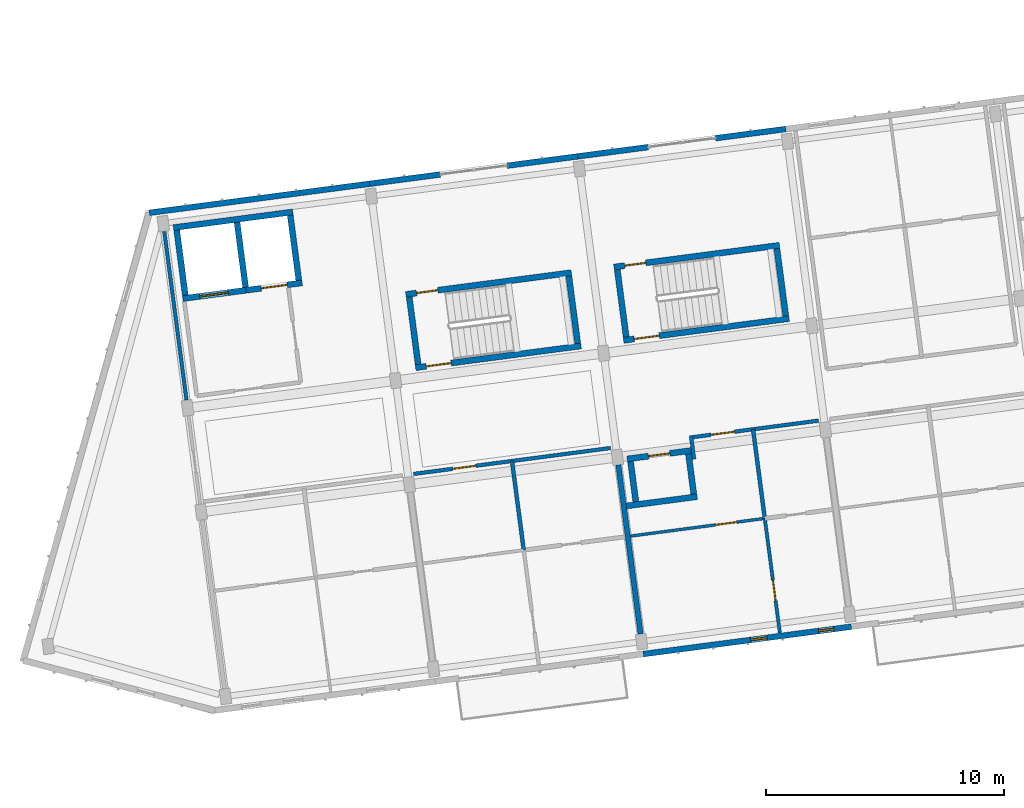
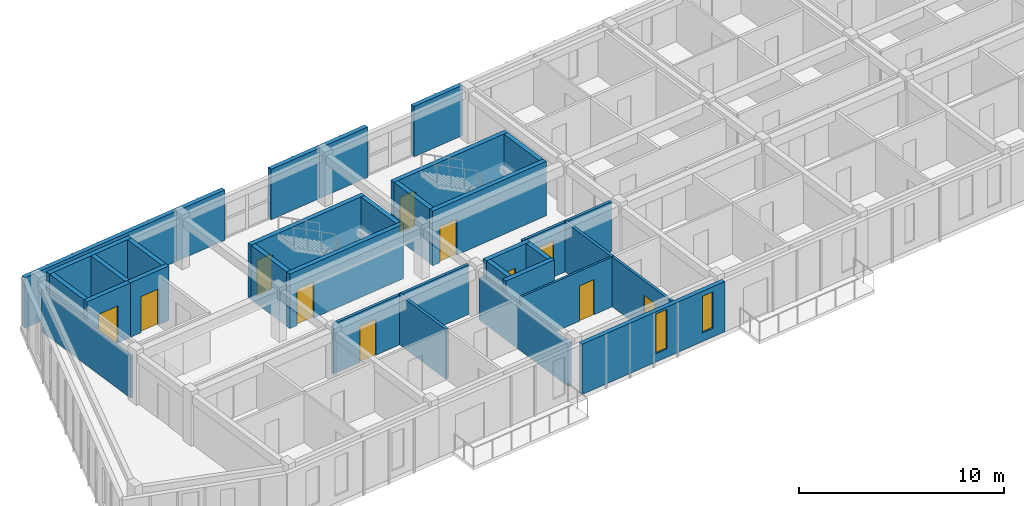
# One storey, part 19 of 45: 33 walls, 11 doors, 2 windows, 13 openings.
"""IFC4 building model written with IfcOpenShell, lengths in metres."""

from ifc_helpers import new_model, si_unit, direction, frame, frame_2d, origin, place, context, subcontext, project, spatial, rectangle, extrude, material, layer, layer_set, type_object, element, fill, save


model = new_model("IFC4")

# Units and contexts
model_context = context("Model", 3, precision=1e-05, world=origin(), true_north=direction((0.0, 1.0)))
body_context = subcontext(model_context, "Body", "Model", "MODEL_VIEW")
ifc_project = project(units=[si_unit("LENGTHUNIT", "METRE"), si_unit("AREAUNIT", "SQUARE_METRE"), si_unit("VOLUMEUNIT", "CUBIC_METRE"), si_unit("PLANEANGLEUNIT", "RADIAN"), si_unit("MASSUNIT", "GRAM", prefix="KILO")], contexts=[model_context])

# Site, building, storey
site_placement = place(None, origin())
site = spatial("IfcSite", under=ifc_project, at=site_placement, CompositionType="ELEMENT")
building_placement = place(site_placement, origin())
building = spatial("IfcBuilding", under=site, at=building_placement, Name="Kestramere Prow Commons", CompositionType="ELEMENT")
storey_placement = place(building_placement, frame((0.0, 0.0, 31.14990234375)))
storey = spatial("IfcBuildingStorey", under=building, at=storey_placement, Name="L09", CompositionType="ELEMENT", Elevation=31.14990234375)

# Wall, openings, windows
ifc_material_1 = material(Name="Fluoropolymer Standing-Seam Zinc-Aluminium Cladding", Category="aluminium")
ifc_layer_1 = layer(ifc_material_1, 0.239990234375)
ifc_layer_set_1 = layer_set([ifc_layer_1], Name="Fluoropolymer Standing-Seam Zinc-Aluminium Cladding")
wall_type_1 = type_object("IfcWallType", Name="EW-SEAM-240", PredefinedType="SOLIDWALL", material=ifc_layer_set_1)
wall_1_placement = place(storey_placement, frame((37.442626953125, 74.92529296875, 0.0), z_axis=(0.0, 0.0, 1.0), x_axis=(-0.991447495205, -0.130506184728, 0.0)))
wall_1 = element("IfcWall", 1, at=wall_1_placement, inside=storey, type_object=wall_type_1, Name="Block A L09 South Standing-Seam Wall 3", PredefinedType="SOLIDWALL", context=body_context, shape_type="SweptSolid", body=[
    extrude(rectangle(XDim=8.7998046875, YDim=0.239990234375, at=frame_2d((4.39990234375, 0.0))), origin(), (0.0, 0.0, 1.0), 3.0),
])
opening_1_placement = place(wall_1_placement, frame((0.7431640625, 0.0, 0.52001953125)))
opening_1 = element("IfcOpeningElement", 2, at=opening_1_placement, cuts=wall_1, Name="Opening WN-04", PredefinedType="OPENING", context=body_context, shape_type="SweptSolid", body=[
    extrude(rectangle(XDim=0.639892578125, YDim=2.179931640625, at=frame_2d((0.31982421875, 1.08984375))), frame((0.0, 0.135009765625, 0.0), z_axis=(0.0, -1.0, 0.0), x_axis=(1.0, 0.0, 0.0)), (0.0, 0.0, 1.0), 0.27001953125),
])
opening_2_placement = place(wall_1_placement, frame((3.55810546875, 0.0, 0.5)))
opening_2 = element("IfcOpeningElement", 3, at=opening_2_placement, cuts=wall_1, Name="Opening WN-07", PredefinedType="OPENING", context=body_context, shape_type="SweptSolid", body=[
    extrude(rectangle(XDim=0.699951171875, YDim=2.360107421875, at=frame_2d((0.35009765625, 1.18017578125))), frame((0.0, 0.135009765625, 0.0), z_axis=(0.0, -1.0, 0.0), x_axis=(1.0, 0.0, 0.0)), (0.0, 0.0, 1.0), 0.27001953125),
])
ifc_material_2 = material(Name="Low-E Laminated Double Glazing", Category="glass")
window_type_1 = type_object("IfcWindowType", Name="WN-NAR-640A", PartitioningType="SINGLE_PANEL", PredefinedType="WINDOW", material=ifc_material_2)
window_1_placement = place(opening_1_placement, origin())
window_1 = element("IfcWindow", 4, at=window_1_placement, inside=storey, type_object=window_type_1, Name="WN-A-L09-S-2-00", OverallHeight=2.179931640625, OverallWidth=0.639892578125, PartitioningType="SINGLE_PANEL", PredefinedType="WINDOW", context=body_context, shape_type="SweptSolid", body=[
    extrude(rectangle(XDim=0.639892578125, YDim=2.179931640625, at=frame_2d((0.31982421875, 1.08984375))), frame((0.0, 0.030029296875, 0.0), z_axis=(0.0, -1.0, 0.0), x_axis=(1.0, 0.0, 0.0)), (0.0, 0.0, 1.0), 0.06005859375),
])
fill(opening_1, window_1)
window_type_2 = type_object("IfcWindowType", Name="WN-NAR-700A", PartitioningType="SINGLE_PANEL", PredefinedType="WINDOW", material=ifc_material_2)
window_2_placement = place(opening_2_placement, origin())
window_2 = element("IfcWindow", 5, at=window_2_placement, inside=storey, type_object=window_type_2, Name="WN-A-L09-S-2-10", OverallHeight=2.360107421875, OverallWidth=0.699951171875, PartitioningType="SINGLE_PANEL", PredefinedType="WINDOW", context=body_context, shape_type="SweptSolid", body=[
    extrude(rectangle(XDim=0.699951171875, YDim=2.360107421875, at=frame_2d((0.35009765625, 1.18017578125))), frame((0.0, 0.030029296875, 0.0), z_axis=(0.0, -1.0, 0.0), x_axis=(1.0, 0.0, 0.0)), (0.0, 0.0, 1.0), 0.06005859375),
])
fill(opening_2, window_2)

# Walls
wall_2_placement = place(storey_placement, frame((8.00048828125, 92.28076171875, 0.0), z_axis=(0.0, 0.0, 1.0), x_axis=(0.991442885224, 0.130541201693, 0.0)))
element("IfcWall", 6, at=wall_2_placement, inside=storey, type_object=wall_type_1, Name="Block A L09 North Standing-Seam Wall 1", PredefinedType="SOLIDWALL", context=body_context, shape_type="SweptSolid", body=[
    extrude(rectangle(XDim=9.324951171875, YDim=0.239990234375, at=frame_2d((4.66259765625, 0.0))), origin(), (0.0, 0.0, 1.0), 3.0),
])
for number, where, z_axis, x_axis, name in (
    (7, (17.24560546875, 93.498046875, 0.0), (0.0, 0.0, 1.0), (0.991451502252, 0.130475739826, 0.0), "Block A L09 North Standing-Seam Pier 2L"),
    (8, (23.020751953125, 94.25830078125, 0.0), (0.0, 0.0, 1.0), (0.991440883744, 0.130556401758, 0.0), "Block A L09 North Standing-Seam Pier 2R"),
):
    element("IfcWall", number, at=place(storey_placement, frame(where, z_axis=z_axis, x_axis=x_axis)), inside=storey, type_object=wall_type_1, Name=name, PredefinedType="SOLIDWALL", context=body_context, shape_type="SweptSolid", body=[
        extrude(rectangle(XDim=2.97509765625, YDim=0.239990234375, at=frame_2d((1.487548828125, 0.0))), origin(), (0.0, 0.0, 1.0), 3.0),
    ])
for number, where, z_axis, x_axis, name in (
    (9, (25.970458984375, 94.646728515625, 0.0), (0.0, 0.0, 1.0), (0.991450105095, 0.130486356022, 0.0), "Block A L09 North Standing-Seam Pier 3L"),
    (10, (31.74560546875, 95.406982421875, 0.0), (0.0, 0.0, 1.0), (0.991439484875, 0.130567024289, 0.0), "Block A L09 North Standing-Seam Pier 3R"),
):
    element("IfcWall", number, at=place(storey_placement, frame(where, z_axis=z_axis, x_axis=x_axis)), inside=storey, type_object=wall_type_1, Name=name, PredefinedType="SOLIDWALL", context=body_context, shape_type="SweptSolid", body=[
        extrude(rectangle(XDim=2.974853515625, YDim=0.239990234375, at=frame_2d((1.4873046875, 0.0))), origin(), (0.0, 0.0, 1.0), 3.0),
    ])
ifc_material_3 = material(Name="Concrete C40/50", Category="concrete")
ifc_layer_2 = layer(ifc_material_3, 0.25)
ifc_layer_set_2 = layer_set([ifc_layer_2], Name="Concrete C40/50")
wall_type_2 = type_object("IfcWallType", Name="W-CORE-250", PredefinedType="SHEAR", material=ifc_layer_set_2)
wall_3_placement = place(storey_placement, frame((9.015380859375, 91.657958984375, 0.0), z_axis=(0.0, 0.0, 1.0), x_axis=(0.991444419808, 0.130529546201, 0.0)))
element("IfcWall", 11, at=wall_3_placement, inside=storey, type_object=wall_type_2, Name="Block A L09 Lift Core Back Wall", PredefinedType="SHEAR", context=body_context, shape_type="SweptSolid", body=[
    extrude(rectangle(XDim=5.050048828125, YDim=0.25, at=frame_2d((2.52490234375, 0.0))), origin(), (0.0, 0.0, 1.0), 3.25),
])

# Wall, opening, door
wall_4_placement = place(storey_placement, frame((9.406982421875, 88.68359375, 0.0), z_axis=(0.0, 0.0, 1.0), x_axis=(0.991434713833, 0.130603247307, 0.0)))
wall_4 = element("IfcWall", 12, at=wall_4_placement, inside=storey, type_object=wall_type_2, Name="Block A L09 Fire Lift Shaft Front Wall", PredefinedType="SHEAR", context=body_context, shape_type="SweptSolid", body=[
    extrude(rectangle(XDim=2.675048828125, YDim=0.25, at=frame_2d((1.33740234375, 0.0))), origin(), (0.0, 0.0, 1.0), 3.25),
])
opening_3_placement = place(wall_4_placement, frame((0.719970703125, 0.0, 0.0)))
opening_3 = element("IfcOpeningElement", 13, at=opening_3_placement, cuts=wall_4, Name="Opening LD-02", PredefinedType="OPENING", context=body_context, shape_type="SweptSolid", body=[
    extrude(rectangle(XDim=1.199951171875, YDim=2.199951171875, at=frame_2d((0.60009765625, 1.10009765625))), frame((0.0, 0.139892578125, 0.0), z_axis=(0.0, -1.0, 0.0), x_axis=(1.0, 0.0, 0.0)), (0.0, 0.0, 1.0), 0.280029296875),
])
ifc_material_4 = material(Name="Brushed Stainless Steel 316", Category="steel")
door_type_1 = type_object("IfcDoorType", Name="LD-02", OperationType="DOUBLE_DOOR_SLIDING", PredefinedType="DOOR", material=ifc_material_4)
door_1_placement = place(opening_3_placement, origin())
door_1 = element("IfcDoor", 14, at=door_1_placement, inside=storey, type_object=door_type_1, Name="FL-A1 L09 Lift Landing Door", OperationType="DOUBLE_DOOR_SLIDING", OverallHeight=2.199951171875, OverallWidth=1.199951171875, PredefinedType="DOOR", context=body_context, shape_type="SweptSolid", body=[
    extrude(rectangle(XDim=1.199951171875, YDim=2.199951171875, at=frame_2d((0.60009765625, 1.10009765625))), frame((0.0, 0.02490234375, 0.0), z_axis=(0.0, -1.0, 0.0), x_axis=(1.0, 0.0, 0.0)), (0.0, 0.0, 1.0), 0.050048828125),
])
fill(opening_3, door_1)

wall_5_placement = place(storey_placement, frame((12.05908203125, 89.032958984375, 0.0), z_axis=(0.0, 0.0, 1.0), x_axis=(0.99145534515, 0.130446535303, 0.0)))
wall_5 = element("IfcWall", 15, at=wall_5_placement, inside=storey, type_object=wall_type_2, Name="Block A L09 Passenger Lift Shaft Front Wall", PredefinedType="SHEAR", context=body_context, shape_type="SweptSolid", body=[
    extrude(rectangle(XDim=2.375, YDim=0.25, at=frame_2d((1.1875, 0.0))), origin(), (0.0, 0.0, 1.0), 3.25),
])
opening_4_placement = place(wall_5_placement, frame((0.64990234375, 0.0, 0.0)))
opening_4 = element("IfcOpeningElement", 16, at=opening_4_placement, cuts=wall_5, Name="Opening LD-01", PredefinedType="OPENING", context=body_context, shape_type="SweptSolid", body=[
    extrude(rectangle(XDim=1.10009765625, YDim=2.14990234375, at=frame_2d((0.550048828125, 1.074951171875))), frame((0.0, 0.139892578125, 0.0), z_axis=(0.0, -1.0, 0.0), x_axis=(1.0, 0.0, 0.0)), (0.0, 0.0, 1.0), 0.280029296875),
])
ifc_material_5 = material(Name="Brushed Stainless Steel 304", Category="steel")
door_type_2 = type_object("IfcDoorType", Name="LD-01", OperationType="DOUBLE_DOOR_SLIDING", PredefinedType="DOOR", material=ifc_material_5)
door_2_placement = place(opening_4_placement, origin())
door_2 = element("IfcDoor", 17, at=door_2_placement, inside=storey, type_object=door_type_2, Name="PL-A2 L09 Lift Landing Door", OperationType="DOUBLE_DOOR_SLIDING", OverallHeight=2.14990234375, OverallWidth=1.10009765625, PredefinedType="DOOR", context=body_context, shape_type="SweptSolid", body=[
    extrude(rectangle(XDim=1.10009765625, YDim=2.14990234375, at=frame_2d((0.550048828125, 1.074951171875))), frame((0.0, 0.02490234375, 0.0), z_axis=(0.0, -1.0, 0.0), x_axis=(1.0, 0.0, 0.0)), (0.0, 0.0, 1.0), 0.050048828125),
])
fill(opening_4, door_2)

# Walls
for number, where, z_axis, x_axis, name in (
    (18, (9.5146484375, 88.823974609375, 0.0), (0.0, 0.0, 1.0), (-0.130500441374, 0.991448251197, 0.0), "Block A L09 Lift Core Side Wall L"),
    (19, (12.042724609375, 89.15673828125, 0.0), (0.0, 0.0, 1.0), (-0.130500441374, 0.991448251197, 0.0), "Block A L09 Lift Core Side Wall M"),
    (20, (14.2734375, 89.450439453125, 0.0), (0.0, 0.0, 1.0), (-0.130500441374, 0.991448251197, 0.0), "Block A L09 Lift Core Side Wall R"),
):
    element("IfcWall", number, at=place(storey_placement, frame(where, z_axis=z_axis, x_axis=x_axis)), inside=storey, type_object=wall_type_2, Name=name, PredefinedType="SHEAR", context=body_context, shape_type="SweptSolid", body=[
        extrude(rectangle(XDim=2.75, YDim=0.25, at=frame_2d((1.375, 0.0))), origin(), (0.0, 0.0, 1.0), 3.25),
    ])

# Wall, opening, door
wall_6_placement = place(storey_placement, frame((18.764404296875, 88.856689453125, 0.0), z_axis=(0.0, 0.0, 1.0), x_axis=(0.991447052715, 0.13050954625, 0.0)))
wall_6 = element("IfcWall", 21, at=wall_6_placement, inside=storey, type_object=wall_type_2, Name="ST-A1 L09 North Shaft Wall", PredefinedType="SHEAR", context=body_context, shape_type="SweptSolid", body=[
    extrude(rectangle(XDim=7.0, YDim=0.25, at=frame_2d((3.5, 0.0))), origin(), (0.0, 0.0, 1.0), 3.25),
])
opening_5_placement = place(wall_6_placement, frame((0.449951171875, 0.0, 0.0)))
opening_5 = element("IfcOpeningElement", 22, at=opening_5_placement, cuts=wall_6, Name="Opening ID-08", PredefinedType="OPENING", context=body_context, shape_type="SweptSolid", body=[
    extrude(rectangle(XDim=0.89990234375, YDim=2.10009765625, at=frame_2d((0.449951171875, 1.050048828125))), frame((0.0, 0.139892578125, 0.0), z_axis=(0.0, -1.0, 0.0), x_axis=(1.0, 0.0, 0.0)), (0.0, 0.0, 1.0), 0.280029296875),
])
ifc_material_6 = material(Name="Engineered Timber Flush Door", Category="wood")
door_type_3 = type_object("IfcDoorType", Name="D-RM-01", OperationType="NOTDEFINED", PredefinedType="DOOR", material=ifc_material_6)
door_3_placement = place(opening_5_placement, origin())
door_3 = element("IfcDoor", 23, at=door_3_placement, inside=storey, type_object=door_type_3, Name="ST-A1 L09 North Room Door", OperationType="SINGLE_SWING_RIGHT", OverallHeight=2.10009765625, OverallWidth=0.89990234375, PredefinedType="DOOR", context=body_context, shape_type="SweptSolid", body=[
    extrude(rectangle(XDim=0.89990234375, YDim=2.10009765625, at=frame_2d((0.449951171875, 1.050048828125))), frame((0.0, 0.02490234375, 0.0), z_axis=(0.0, -1.0, 0.0), x_axis=(1.0, 0.0, 0.0)), (0.0, 0.0, 1.0), 0.050048828125),
])
fill(opening_5, door_3)

wall_7_placement = place(storey_placement, frame((19.169189453125, 85.783203125, 0.0), z_axis=(0.0, 0.0, 1.0), x_axis=(0.991446458634, 0.130514059249, 0.0)))
wall_7 = element("IfcWall", 24, at=wall_7_placement, inside=storey, type_object=wall_type_2, Name="ST-A1 L09 Corridor Shaft Wall", PredefinedType="SHEAR", context=body_context, shape_type="SweptSolid", body=[
    extrude(rectangle(XDim=6.999755859375, YDim=0.25, at=frame_2d((3.5, 0.0))), origin(), (0.0, 0.0, 1.0), 3.25),
])
opening_6_placement = place(wall_7_placement, frame((0.449951171875, 0.0, 0.0)))
opening_6 = element("IfcOpeningElement", 25, at=opening_6_placement, cuts=wall_7, Name="Opening ID-01", PredefinedType="OPENING", context=body_context, shape_type="SweptSolid", body=[
    extrude(rectangle(XDim=1.050048828125, YDim=2.14990234375, at=frame_2d((0.52490234375, 1.074951171875))), frame((0.0, 0.139892578125, 0.0), z_axis=(0.0, -1.0, 0.0), x_axis=(1.0, 0.0, 0.0)), (0.0, 0.0, 1.0), 0.280029296875),
])
ifc_material_7 = material(Name="Fire-Rated Timber and Steel Frame", Category="steel")
door_type_4 = type_object("IfcDoorType", Name="FD-ST-01", OperationType="NOTDEFINED", PredefinedType="DOOR", material=ifc_material_7)
door_4_placement = place(opening_6_placement, origin())
door_4 = element("IfcDoor", 26, at=door_4_placement, inside=storey, type_object=door_type_4, Name="ST-A1 L09 Protected Stair Door", OperationType="SINGLE_SWING_RIGHT", OverallHeight=2.14990234375, OverallWidth=1.050048828125, PredefinedType="DOOR", context=body_context, shape_type="SweptSolid", body=[
    extrude(rectangle(XDim=1.050048828125, YDim=2.14990234375, at=frame_2d((0.52490234375, 1.074951171875))), frame((0.0, 0.02490234375, 0.0), z_axis=(0.0, -1.0, 0.0), x_axis=(1.0, 0.0, 0.0)), (0.0, 0.0, 1.0), 0.050048828125),
])
fill(opening_6, door_4)

# Walls
for number, where, z_axis, x_axis, name in (
    (27, (19.27685546875, 85.92333984375, 0.0), (0.0, 0.0, 1.0), (-0.130547578832, 0.991442045538, 0.0), "ST-A1 L09 Near Shaft Wall"),
    (28, (25.968994140625, 86.804443359375, 0.0), (0.0, 0.0, 1.0), (-0.130547578832, 0.991442045538, 0.0), "ST-A1 L09 Far Shaft Wall"),
):
    element("IfcWall", number, at=place(storey_placement, frame(where, z_axis=z_axis, x_axis=x_axis)), inside=storey, type_object=wall_type_2, Name=name, PredefinedType="SHEAR", context=body_context, shape_type="SweptSolid", body=[
        extrude(rectangle(XDim=2.85009765625, YDim=0.25, at=frame_2d((1.425048828125, 0.0))), origin(), (0.0, 0.0, 1.0), 3.25),
    ])

# Wall, opening, door
wall_8_placement = place(storey_placement, frame((27.4892578125, 90.005126953125, 0.0), z_axis=(0.0, 0.0, 1.0), x_axis=(0.991441944909, 0.130548343059, 0.0)))
wall_8 = element("IfcWall", 29, at=wall_8_placement, inside=storey, type_object=wall_type_2, Name="ST-A2 L09 North Shaft Wall", PredefinedType="SHEAR", context=body_context, shape_type="SweptSolid", body=[
    extrude(rectangle(XDim=6.999755859375, YDim=0.25, at=frame_2d((3.5, 0.0))), origin(), (0.0, 0.0, 1.0), 3.25),
])
opening_7_placement = place(wall_8_placement, frame((0.449951171875, 0.0, 0.0)))
opening_7 = element("IfcOpeningElement", 30, at=opening_7_placement, cuts=wall_8, Name="Opening ID-08", PredefinedType="OPENING", context=body_context, shape_type="SweptSolid", body=[
    extrude(rectangle(XDim=0.89990234375, YDim=2.10009765625, at=frame_2d((0.449951171875, 1.050048828125))), frame((0.0, 0.139892578125, 0.0), z_axis=(0.0, -1.0, 0.0), x_axis=(1.0, 0.0, 0.0)), (0.0, 0.0, 1.0), 0.280029296875),
])
door_5_placement = place(opening_7_placement, origin())
door_5 = element("IfcDoor", 31, at=door_5_placement, inside=storey, type_object=door_type_3, Name="ST-A2 L09 North Room Door", OperationType="SINGLE_SWING_RIGHT", OverallHeight=2.10009765625, OverallWidth=0.89990234375, PredefinedType="DOOR", context=body_context, shape_type="SweptSolid", body=[
    extrude(rectangle(XDim=0.89990234375, YDim=2.10009765625, at=frame_2d((0.449951171875, 1.050048828125))), frame((0.0, 0.02490234375, 0.0), z_axis=(0.0, -1.0, 0.0), x_axis=(1.0, 0.0, 0.0)), (0.0, 0.0, 1.0), 0.050048828125),
])
fill(opening_7, door_5)

wall_9_placement = place(storey_placement, frame((27.893798828125, 86.931640625, 0.0), z_axis=(0.0, 0.0, 1.0), x_axis=(0.991442539299, 0.130543828916, 0.0)))
wall_9 = element("IfcWall", 32, at=wall_9_placement, inside=storey, type_object=wall_type_2, Name="ST-A2 L09 Corridor Shaft Wall", PredefinedType="SHEAR", context=body_context, shape_type="SweptSolid", body=[
    extrude(rectangle(XDim=7.0, YDim=0.25, at=frame_2d((3.5, 0.0))), origin(), (0.0, 0.0, 1.0), 3.25),
])
opening_8_placement = place(wall_9_placement, frame((0.449951171875, 0.0, 0.0)))
opening_8 = element("IfcOpeningElement", 33, at=opening_8_placement, cuts=wall_9, Name="Opening ID-01", PredefinedType="OPENING", context=body_context, shape_type="SweptSolid", body=[
    extrude(rectangle(XDim=1.050048828125, YDim=2.14990234375, at=frame_2d((0.52490234375, 1.074951171875))), frame((0.0, 0.139892578125, 0.0), z_axis=(0.0, -1.0, 0.0), x_axis=(1.0, 0.0, 0.0)), (0.0, 0.0, 1.0), 0.280029296875),
])
door_6_placement = place(opening_8_placement, origin())
door_6 = element("IfcDoor", 34, at=door_6_placement, inside=storey, type_object=door_type_4, Name="ST-A2 L09 Protected Stair Door", OperationType="SINGLE_SWING_RIGHT", OverallHeight=2.14990234375, OverallWidth=1.050048828125, PredefinedType="DOOR", context=body_context, shape_type="SweptSolid", body=[
    extrude(rectangle(XDim=1.050048828125, YDim=2.14990234375, at=frame_2d((0.52490234375, 1.074951171875))), frame((0.0, 0.02490234375, 0.0), z_axis=(0.0, -1.0, 0.0), x_axis=(1.0, 0.0, 0.0)), (0.0, 0.0, 1.0), 0.050048828125),
])
fill(opening_8, door_6)

# Walls
wall_10_placement = place(storey_placement, frame((28.00146484375, 87.072021484375, 0.0), z_axis=(0.0, 0.0, 1.0), x_axis=(-0.130547578832, 0.991442045538, 0.0)))
element("IfcWall", 35, at=wall_10_placement, inside=storey, type_object=wall_type_2, Name="ST-A2 L09 Near Shaft Wall", PredefinedType="SHEAR", context=body_context, shape_type="SweptSolid", body=[
    extrude(rectangle(XDim=2.85009765625, YDim=0.25, at=frame_2d((1.425048828125, 0.0))), origin(), (0.0, 0.0, 1.0), 3.25),
])
wall_11_placement = place(storey_placement, frame((34.693603515625, 87.953125, 0.0), z_axis=(0.0, 0.0, 1.0), x_axis=(-0.130474457355, 0.991451671025, 0.0)))
element("IfcWall", 36, at=wall_11_placement, inside=storey, type_object=wall_type_2, Name="ST-A2 L09 Far Shaft Wall", PredefinedType="SHEAR", context=body_context, shape_type="SweptSolid", body=[
    extrude(rectangle(XDim=2.849853515625, YDim=0.25, at=frame_2d((1.4248046875, 0.0))), origin(), (0.0, 0.0, 1.0), 3.25),
])

# Wall, opening, door
ifc_material_8 = material(Name="Fire-Rated Calcium Silicate Wall")
ifc_layer_3 = layer(ifc_material_8, 0.155029296875)
ifc_layer_set_3 = layer_set([ifc_layer_3], Name="Fire-Rated Calcium Silicate Wall")
wall_type_3 = type_object("IfcWallType", Name="W-FIRE-150", PredefinedType="PARTITIONING", material=ifc_layer_set_3)
wall_12_placement = place(storey_placement, frame((19.084716796875, 81.3291015625, 0.0), z_axis=(0.0, 0.0, 1.0), x_axis=(0.991446911972, 0.130510615437, 0.0)))
wall_12 = element("IfcWall", 37, at=wall_12_placement, inside=storey, type_object=wall_type_3, Name="Interior Partition PW-A-L09-CS-1", PredefinedType="PARTITIONING", context=body_context, shape_type="SweptSolid", body=[
    extrude(rectangle(XDim=8.330078125, YDim=0.155029296875, at=frame_2d((4.1650390625, 0.0))), origin(), (0.0, 0.0, 1.0), 2.97021484375),
])
opening_9_placement = place(wall_12_placement, frame((1.655029296875, 0.0, 0.0)))
opening_9 = element("IfcOpeningElement", 38, at=opening_9_placement, cuts=wall_12, Name="Opening ID-04", PredefinedType="OPENING", context=body_context, shape_type="SweptSolid", body=[
    extrude(rectangle(XDim=0.97998046875, YDim=2.14990234375, at=frame_2d((0.489990234375, 1.074951171875))), frame((0.0, 0.092529296875, 0.0), z_axis=(0.0, -1.0, 0.0), x_axis=(1.0, 0.0, 0.0)), (0.0, 0.0, 1.0), 0.18505859375),
])
ifc_material_9 = material(Name="Hardwood Fire-Rated Flat Entrance Door", Category="wood")
door_type_5 = type_object("IfcDoorType", Name="FD-ENT-01", OperationType="NOTDEFINED", PredefinedType="DOOR", material=ifc_material_9)
door_7_placement = place(opening_9_placement, origin())
door_7 = element("IfcDoor", 39, at=door_7_placement, inside=storey, type_object=door_type_5, Name="Interior Door DR-A-L09-ENT-S1", OperationType="SINGLE_SWING_LEFT", OverallHeight=2.14990234375, OverallWidth=0.97998046875, PredefinedType="DOOR", context=body_context, shape_type="SweptSolid", body=[
    extrude(rectangle(XDim=0.97998046875, YDim=2.14990234375, at=frame_2d((0.489990234375, 1.074951171875))), frame((0.0, 0.02490234375, 0.0), z_axis=(0.0, -1.0, 0.0), x_axis=(1.0, 0.0, 0.0)), (0.0, 0.0, 1.0), 0.050048828125),
])
fill(opening_9, door_7)

# Wall
wall_13_placement = place(storey_placement, frame((30.849365234375, 81.949951171875, 0.0), z_axis=(0.0, 0.0, 1.0), x_axis=(-0.13055608231, 0.99144092581, 0.0)))
element("IfcWall", 40, at=wall_13_placement, inside=storey, type_object=wall_type_3, Name="Interior Partition PW-A-L09-HS-CLOSER", PredefinedType="PARTITIONING", context=body_context, shape_type="SweptSolid", body=[
    extrude(rectangle(XDim=0.994873046875, YDim=0.155029296875, at=frame_2d((0.49755859375, 0.0))), origin(), (0.0, 0.0, 1.0), 2.97021484375),
])

# Wall, opening, door
wall_14_placement = place(storey_placement, frame((30.80859375, 82.87255859375, 0.0), z_axis=(0.0, 0.0, 1.0), x_axis=(0.991445991454, 0.130517608122, 0.0)))
wall_14 = element("IfcWall", 41, at=wall_14_placement, inside=storey, type_object=wall_type_3, Name="Interior Partition PW-A-L09-CS-2", PredefinedType="PARTITIONING", context=body_context, shape_type="SweptSolid", body=[
    extrude(rectangle(XDim=5.304931640625, YDim=0.155029296875, at=frame_2d((2.65234375, 0.0))), origin(), (0.0, 0.0, 1.0), 2.97021484375),
])
opening_10_placement = place(wall_14_placement, frame((0.758056640625, 0.0, 0.0)))
opening_10 = element("IfcOpeningElement", 42, at=opening_10_placement, cuts=wall_14, Name="Opening ID-04", PredefinedType="OPENING", context=body_context, shape_type="SweptSolid", body=[
    extrude(rectangle(XDim=0.97998046875, YDim=2.14990234375, at=frame_2d((0.489990234375, 1.074951171875))), frame((0.0, 0.092529296875, 0.0), z_axis=(0.0, -1.0, 0.0), x_axis=(1.0, 0.0, 0.0)), (0.0, 0.0, 1.0), 0.18505859375),
])
door_8_placement = place(opening_10_placement, origin())
door_8 = element("IfcDoor", 43, at=door_8_placement, inside=storey, type_object=door_type_5, Name="Interior Door DR-A-L09-ENT-S2", OperationType="SINGLE_SWING_RIGHT", OverallHeight=2.14990234375, OverallWidth=0.97998046875, PredefinedType="DOOR", context=body_context, shape_type="SweptSolid", body=[
    extrude(rectangle(XDim=0.97998046875, YDim=2.14990234375, at=frame_2d((0.489990234375, 1.074951171875))), frame((0.0, 0.02490234375, 0.0), z_axis=(0.0, -1.0, 0.0), x_axis=(1.0, 0.0, 0.0)), (0.0, 0.0, 1.0), 0.050048828125),
])
fill(opening_10, door_8)

# Wall
ifc_layer_4 = layer(ifc_material_3, 0.25)
ifc_layer_set_4 = layer_set([ifc_layer_4], Name="Concrete C40/50")
wall_type_4 = type_object("IfcWallType", Name="W-HS-250", PredefinedType="SHEAR", material=ifc_layer_set_4)
wall_15_placement = place(storey_placement, frame((28.01123046875, 79.987548828125, 0.0), z_axis=(0.0, 0.0, 1.0), x_axis=(0.991439837467, 0.130564346904, 0.0)))
element("IfcWall", 44, at=wall_15_placement, inside=storey, type_object=wall_type_4, Name="Block A L09 Household Shelter South Wall", PredefinedType="SHEAR", context=body_context, shape_type="SweptSolid", body=[
    extrude(rectangle(XDim=2.989990234375, YDim=0.25, at=frame_2d((1.4951171875, 0.0))), origin(), (0.0, 0.0, 1.0), 3.25),
])

# Wall, opening, door
wall_16_placement = place(storey_placement, frame((28.044189453125, 81.958740234375, 0.0), z_axis=(0.0, 0.0, 1.0), x_axis=(0.991439824936, 0.130564442062, 0.0)))
wall_16 = element("IfcWall", 45, at=wall_16_placement, inside=storey, type_object=wall_type_4, Name="Block A L09 Household Shelter North Wall", PredefinedType="SHEAR", context=body_context, shape_type="SweptSolid", body=[
    extrude(rectangle(XDim=2.7001953125, YDim=0.25, at=frame_2d((1.35009765625, 0.0))), origin(), (0.0, 0.0, 1.0), 3.25),
])
opening_11_placement = place(wall_16_placement, frame((0.89990234375, 0.0, 0.0)))
opening_11 = element("IfcOpeningElement", 46, at=opening_11_placement, cuts=wall_16, Name="Opening ID-06", PredefinedType="OPENING", context=body_context, shape_type="SweptSolid", body=[
    extrude(rectangle(XDim=0.89990234375, YDim=2.050048828125, at=frame_2d((0.449951171875, 1.02490234375))), frame((0.0, 0.139892578125, 0.0), z_axis=(0.0, -1.0, 0.0), x_axis=(1.0, 0.0, 0.0)), (0.0, 0.0, 1.0), 0.280029296875),
])
ifc_material_10 = material(Name="Galvanised Steel S275JR Household Shelter Door", Category="steel")
door_type_6 = type_object("IfcDoorType", Name="FD-HS-01", OperationType="NOTDEFINED", PredefinedType="DOOR", material=ifc_material_10)
door_9_placement = place(opening_11_placement, origin())
door_9 = element("IfcDoor", 47, at=door_9_placement, inside=storey, type_object=door_type_6, Name="Block A L09 Household Shelter Blast Door", OperationType="SINGLE_SWING_LEFT", OverallHeight=2.050048828125, OverallWidth=0.89990234375, PredefinedType="DOOR", context=body_context, shape_type="SweptSolid", body=[
    extrude(rectangle(XDim=0.89990234375, YDim=2.050048828125, at=frame_2d((0.449951171875, 1.02490234375))), frame((0.0, 0.02490234375, 0.0), z_axis=(0.0, -1.0, 0.0), x_axis=(1.0, 0.0, 0.0)), (0.0, 0.0, 1.0), 0.050048828125),
])
fill(opening_11, door_9)

# Walls
wall_17_placement = place(storey_placement, frame((28.40625, 80.165771484375, 0.0), z_axis=(0.0, 0.0, 1.0), x_axis=(-0.130413643681, 0.991459672171, 0.0)))
element("IfcWall", 48, at=wall_17_placement, inside=storey, type_object=wall_type_4, Name="Block A L09 Household Shelter W Wall", PredefinedType="SHEAR", context=body_context, shape_type="SweptSolid", body=[
    extrude(rectangle(XDim=1.69970703125, YDim=0.25, at=frame_2d((0.849853515625, 0.0))), origin(), (0.0, 0.0, 1.0), 3.25),
])
wall_18_placement = place(storey_placement, frame((30.83544921875, 80.485595703125, 0.0), z_axis=(0.0, 0.0, 1.0), x_axis=(-0.1305548243, 0.991441091468, 0.0)))
element("IfcWall", 49, at=wall_18_placement, inside=storey, type_object=wall_type_4, Name="Block A L09 Household Shelter E Wall", PredefinedType="SHEAR", context=body_context, shape_type="SweptSolid", body=[
    extrude(rectangle(XDim=1.699951171875, YDim=0.25, at=frame_2d((0.85009765625, 0.0))), origin(), (0.0, 0.0, 1.0), 3.25),
])

# Wall, opening, door
ifc_material_11 = material(Name="Lightweight Blockwork and Plaster", Category="masonry")
ifc_layer_5 = layer(ifc_material_11, 0.1201171875)
ifc_layer_set_5 = layer_set([ifc_layer_5], Name="Lightweight Blockwork and Plaster")
wall_type_5 = type_object("IfcWallType", Name="W-PART-120", PredefinedType="PARTITIONING", material=ifc_layer_set_5)
wall_19_placement = place(storey_placement, frame((28.1826171875, 78.72412109375, 0.0), z_axis=(0.0, 0.0, 1.0), x_axis=(0.991443173156, 0.130539014865, 0.0)))
wall_19 = element("IfcWall", 50, at=wall_19_placement, inside=storey, type_object=wall_type_5, Name="Interior Partition PW-A-L09-MIDS1-2", PredefinedType="PARTITIONING", context=body_context, shape_type="SweptSolid", body=[
    extrude(rectangle(XDim=5.679931640625, YDim=0.1201171875, at=frame_2d((2.83984375, 0.0))), origin(), (0.0, 0.0, 1.0), 2.97021484375),
])
opening_12_placement = place(wall_19_placement, frame((3.594970703125, 0.0, 0.0)))
opening_12 = element("IfcOpeningElement", 51, at=opening_12_placement, cuts=wall_19, Name="Opening ID-08", PredefinedType="OPENING", context=body_context, shape_type="SweptSolid", body=[
    extrude(rectangle(XDim=0.89990234375, YDim=2.10009765625, at=frame_2d((0.449951171875, 1.050048828125))), frame((0.0, 0.074951171875, 0.0), z_axis=(0.0, -1.0, 0.0), x_axis=(1.0, 0.0, 0.0)), (0.0, 0.0, 1.0), 0.150146484375),
])
door_10_placement = place(opening_12_placement, origin())
door_10 = element("IfcDoor", 52, at=door_10_placement, inside=storey, type_object=door_type_3, Name="Interior Door DR-A-L09-KL-S2", OperationType="SINGLE_SWING_RIGHT", OverallHeight=2.10009765625, OverallWidth=0.89990234375, PredefinedType="DOOR", context=body_context, shape_type="SweptSolid", body=[
    extrude(rectangle(XDim=0.89990234375, YDim=2.10009765625, at=frame_2d((0.449951171875, 1.050048828125))), frame((0.0, 0.02490234375, 0.0), z_axis=(0.0, -1.0, 0.0), x_axis=(1.0, 0.0, 0.0)), (0.0, 0.0, 1.0), 0.050048828125),
])
fill(opening_12, door_10)

ifc_material_12 = material(Name="Masonry Compartment Wall", Category="masonry")
ifc_layer_6 = layer(ifc_material_12, 0.139892578125)
ifc_layer_set_6 = layer_set([ifc_layer_6], Name="Masonry Compartment Wall")
wall_type_6 = type_object("IfcWallType", Name="W-PART-140", PredefinedType="PARTITIONING", material=ifc_layer_set_6)
wall_20_placement = place(storey_placement, frame((34.44580078125, 74.6669921875, 0.0), z_axis=(0.0, 0.0, 1.0), x_axis=(-0.130544545786, 0.991442444908, 0.0)))
wall_20 = element("IfcWall", 53, at=wall_20_placement, inside=storey, type_object=wall_type_6, Name="Interior Partition PW-A-L09-LB-S2", PredefinedType="PARTITIONING", context=body_context, shape_type="SweptSolid", body=[
    extrude(rectangle(XDim=4.840087890625, YDim=0.139892578125, at=frame_2d((2.419921875, 0.0))), origin(), (0.0, 0.0, 1.0), 2.97021484375),
])
opening_13_placement = place(wall_20_placement, frame((1.35009765625, 0.0, 0.0)))
opening_13 = element("IfcOpeningElement", 54, at=opening_13_placement, cuts=wall_20, Name="Opening ID-08", PredefinedType="OPENING", context=body_context, shape_type="SweptSolid", body=[
    extrude(rectangle(XDim=0.89990234375, YDim=2.10009765625, at=frame_2d((0.449951171875, 1.050048828125))), frame((0.0, 0.0849609375, 0.0), z_axis=(0.0, -1.0, 0.0), x_axis=(1.0, 0.0, 0.0)), (0.0, 0.0, 1.0), 0.169921875),
])
door_11_placement = place(opening_13_placement, origin())
door_11 = element("IfcDoor", 55, at=door_11_placement, inside=storey, type_object=door_type_3, Name="Interior Door DR-A-L09-BED-S2", OperationType="SINGLE_SWING_LEFT", OverallHeight=2.10009765625, OverallWidth=0.89990234375, PredefinedType="DOOR", context=body_context, shape_type="SweptSolid", body=[
    extrude(rectangle(XDim=0.89990234375, YDim=2.10009765625, at=frame_2d((0.449951171875, 1.050048828125))), frame((0.0, 0.02490234375, 0.0), z_axis=(0.0, -1.0, 0.0), x_axis=(1.0, 0.0, 0.0)), (0.0, 0.0, 1.0), 0.050048828125),
])
fill(opening_13, door_11)

# Walls
ifc_layer_7 = layer(ifc_material_12, 0.14990234375)
ifc_layer_set_7 = layer_set([ifc_layer_7], Name="Masonry Compartment Wall")
wall_type_7 = type_object("IfcWallType", Name="W-PART-150", PredefinedType="PARTITIONING", material=ifc_layer_set_7)
wall_21_placement = place(storey_placement, frame((9.56396484375, 84.427734375, 0.0), z_axis=(0.0, 0.0, 1.0), x_axis=(-0.130526257258, 0.991444852811, 0.0)))
element("IfcWall", 56, at=wall_21_placement, inside=storey, type_object=wall_type_7, Name="Interior Partition PW-A-L09-PRW-N", PredefinedType="PARTITIONING", context=body_context, shape_type="SweptSolid", body=[
    extrude(rectangle(XDim=7.130126953125, YDim=0.14990234375, at=frame_2d((3.56494140625, 0.0))), origin(), (0.0, 0.0, 1.0), 2.5),
])
ifc_material_13 = material(Name="Waterproof Sanitary Masonry Wall", Category="masonry")
ifc_layer_8 = layer(ifc_material_13, 0.1650390625)
ifc_layer_set_8 = layer_set([ifc_layer_8], Name="Waterproof Sanitary Masonry Wall")
wall_type_8 = type_object("IfcWallType", Name="W-PLUMB-150", PredefinedType="PLUMBINGWALL", material=ifc_layer_set_8)
for number, where, z_axis, x_axis, name in (
    (57, (23.706298828125, 78.134765625, 0.0), (0.0, 0.0, 1.0), (-0.130551670646, 0.991441506742, 0.0), "Interior Partition PW-A-L09-KB-S1"),
    (58, (33.81396484375, 79.465576171875, 0.0), (0.0, 0.0, 1.0), (-0.13048801578, 0.99144988665, 0.0), "Interior Partition PW-A-L09-KB-S2"),
):
    element("IfcWall", number, at=place(storey_placement, frame(where, z_axis=z_axis, x_axis=x_axis)), inside=storey, type_object=wall_type_8, Name=name, PredefinedType="PLUMBINGWALL", context=body_context, shape_type="SweptSolid", body=[
        extrude(rectangle(XDim=3.77001953125, YDim=0.1650390625, at=frame_2d((1.885009765625, 0.0))), origin(), (0.0, 0.0, 1.0), 2.97021484375),
    ])
ifc_material_14 = material(Name="Precast concrete C40/50", Category="concrete")
ifc_layer_9 = layer(ifc_material_14, 0.219970703125)
ifc_layer_set_9 = layer_set([ifc_layer_9], Name="Precast concrete C40/50")
wall_type_9 = type_object("IfcWallType", Name="W-XWALL-220", PredefinedType="SHEAR", material=ifc_layer_set_9)
wall_22_placement = place(storey_placement, frame((28.60693359375, 74.619384765625, 0.0), z_axis=(0.0, 0.0, 1.0), x_axis=(-0.130503975686, 0.991447785983, 0.0)))
element("IfcWall", 59, at=wall_22_placement, inside=storey, type_object=wall_type_9, Name="Block A L09 Precast Cross-Wall 2", PredefinedType="SHEAR", context=body_context, shape_type="SweptSolid", body=[
    extrude(rectangle(XDim=7.14990234375, YDim=0.219970703125, at=frame_2d((3.574951171875, 0.0))), origin(), (0.0, 0.0, 1.0), 2.5),
])

save(model, "model.ifc")
